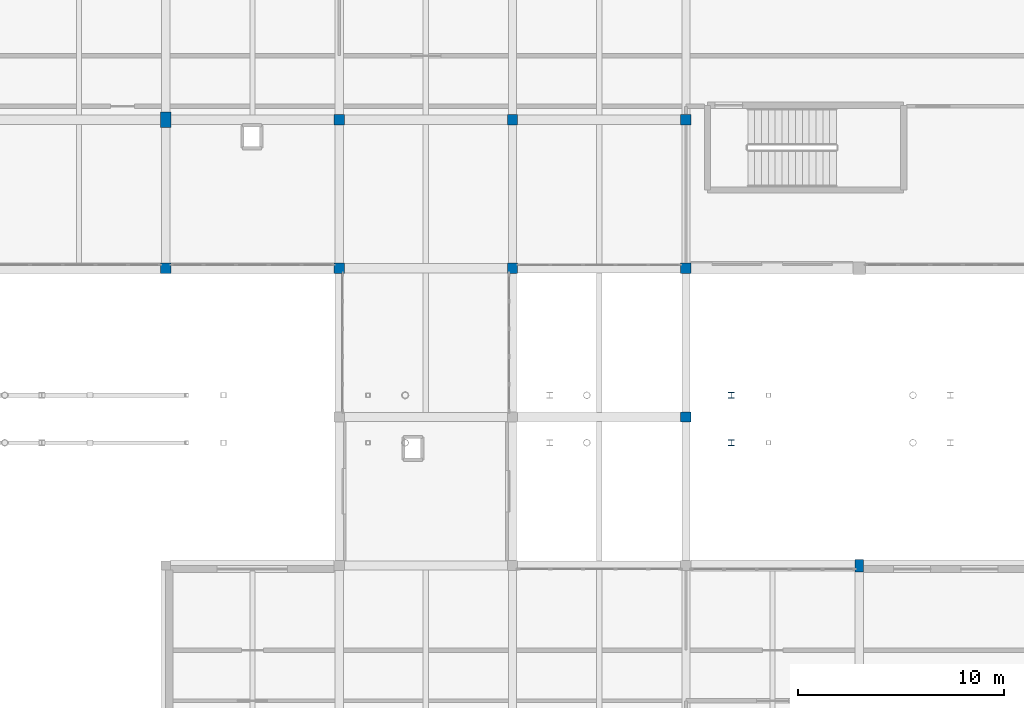
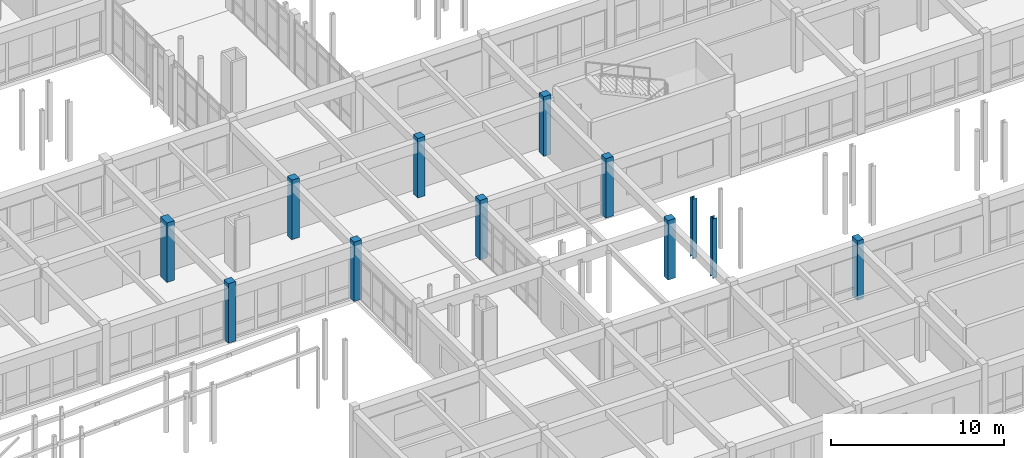
# One storey, part 7 of 147: 12 columns.
"""IFC4 building model written with IfcOpenShell, lengths in metres."""

from ifc_helpers import new_model, si_unit, direction, frame, origin, origin_2d, place, context, subcontext, project, spatial, rectangle, i_section, extrude, material, material_profile, profile_set, type_object, element, save


model = new_model("IFC4")

# Units and contexts
model_context = context("Model", 3, precision=1e-05, world=origin(), true_north=direction((0.0, 1.0)))
body_context = subcontext(model_context, "Body", "Model", "MODEL_VIEW")
ifc_project = project(units=[si_unit("LENGTHUNIT", "METRE"), si_unit("AREAUNIT", "SQUARE_METRE"), si_unit("VOLUMEUNIT", "CUBIC_METRE"), si_unit("PLANEANGLEUNIT", "RADIAN"), si_unit("MASSUNIT", "GRAM", prefix="KILO")], contexts=[model_context])

# Site, building, storey
site_placement = place(None, origin())
site = spatial("IfcSite", under=ifc_project, at=site_placement, CompositionType="ELEMENT")
building_placement = place(site_placement, origin())
building = spatial("IfcBuilding", under=site, at=building_placement, Name="Malvenik Polytechnic", CompositionType="ELEMENT")
storey_placement = place(building_placement, frame((0.0, 0.0, 5.10009765625)))
storey = spatial("IfcBuildingStorey", under=building, at=storey_placement, Name="L01", CompositionType="ELEMENT", Elevation=5.10009765625)

# Columns
ifc_material_1 = material(Name="Concrete C35/45", Category="concrete")
ifc_material_profile_1 = material_profile(ifc_material_1, rectangle(XDim=0.5, YDim=0.5, at=origin_2d()), Name="RC COL 500x500")
ifc_profile_set_1 = profile_set([ifc_material_profile_1], Name="Concrete C35/45")
column_type_1 = type_object("IfcColumnType", Name="STR-COL-C-08", PredefinedType="COLUMN", material=ifc_profile_set_1)
for number, where, z_axis, x_axis, name in (
    (1, (67.199951171875, 50.39990234375, 0.0), (0.0, 0.0, 1.0), (1.0, 0.0, 0.0), "Column C-08 L01 (67.2,50.4)"),
    (2, (75.60009765625, 50.39990234375, 0.0), (0.0, 0.0, 1.0), (1.0, 0.0, 0.0), "Column C-08 L01 (75.6,50.4)"),
    (3, (75.60009765625, 57.60009765625, 0.0), (0.0, 0.0, 1.0), (1.0, 0.0, 0.0), "Column C-08 L01 (75.6,57.6)"),
    (4, (84.0, 50.39990234375, 0.0), (0.0, 0.0, 1.0), (1.0, 0.0, 0.0), "Column C-08 L01 (84.0,50.4)"),
    (5, (84.0, 57.60009765625, 0.0), (0.0, 0.0, 1.0), (1.0, 0.0, 0.0), "Column C-08 L01 (84.0,57.6)"),
    (6, (92.39990234375, 43.199951171875, 0.0), (0.0, 0.0, 1.0), (1.0, 0.0, 0.0), "Column C-08 L01 (92.4,43.2)"),
    (7, (92.39990234375, 50.39990234375, 0.0), (0.0, 0.0, 1.0), (1.0, 0.0, 0.0), "Column C-08 L01 (92.4,50.4)"),
    (8, (92.39990234375, 57.60009765625, 0.0), (0.0, 0.0, 1.0), (1.0, 0.0, 0.0), "Column C-08 L01 (92.4,57.6)"),
):
    element("IfcColumn", number, at=place(storey_placement, frame(where, z_axis=z_axis, x_axis=x_axis)), inside=storey, type_object=column_type_1, Name=name, PredefinedType="COLUMN", context=body_context, shape_type="SweptSolid", body=[
        extrude(rectangle(XDim=0.5, YDim=0.5, at=origin_2d()), origin(), (0.0, 0.0, 1.0), 4.199951171875),
    ])
ifc_material_profile_2 = material_profile(ifc_material_1, rectangle(XDim=0.5, YDim=0.75, at=origin_2d()), Name="RC COL 750x500")
ifc_profile_set_2 = profile_set([ifc_material_profile_2], Name="Concrete C35/45")
column_type_2 = type_object("IfcColumnType", Name="STR-COL-C-14", PredefinedType="COLUMN", material=ifc_profile_set_2)
column_1_placement = place(storey_placement, frame((67.199951171875, 57.60009765625, 0.0), z_axis=(0.0, 0.0, 1.0), x_axis=(1.0, 0.0, 0.0)))
element("IfcColumn", 9, at=column_1_placement, inside=storey, type_object=column_type_2, Name="Column C-14 L01 (67.2,57.6)", PredefinedType="COLUMN", context=body_context, shape_type="SweptSolid", body=[
    extrude(rectangle(XDim=0.5, YDim=0.75, at=origin_2d()), origin(), (0.0, 0.0, 1.0), 4.199951171875),
])
ifc_material_profile_3 = material_profile(ifc_material_1, rectangle(XDim=0.39990234375, YDim=0.60009765625, at=origin_2d()), Name="RC COL 600x400")
ifc_profile_set_3 = profile_set([ifc_material_profile_3], Name="Concrete C35/45")
column_type_3 = type_object("IfcColumnType", Name="STR-COL-C-15", PredefinedType="COLUMN", material=ifc_profile_set_3)
column_2_placement = place(storey_placement, frame((100.800048828125, 36.0, 0.0), z_axis=(0.0, 0.0, 1.0), x_axis=(1.0, 0.0, 0.0)))
element("IfcColumn", 10, at=column_2_placement, inside=storey, type_object=column_type_3, Name="Column C-15 L01 (100.8,36.0)", PredefinedType="COLUMN", context=body_context, shape_type="SweptSolid", body=[
    extrude(rectangle(XDim=0.39990234375, YDim=0.60009765625, at=origin_2d()), origin(), (0.0, 0.0, 1.0), 4.199951171875),
])
ifc_material_2 = material(Name="Steel S355", Category="steel")
ifc_material_profile_4 = material_profile(ifc_material_2, i_section(OverallWidth=0.300048828125, OverallDepth=0.300048828125, WebThickness=0.010986328125, FlangeThickness=0.01904296875, FilletRadius=0.027099609375, at=origin_2d()), Name="HEB 300")
ifc_profile_set_4 = profile_set([ifc_material_profile_4], Name="Steel S355")
column_type_4 = type_object("IfcColumnType", Name="STR-SCOL-SC-05", PredefinedType="COLUMN", material=ifc_profile_set_4)
for number, where, z_axis, x_axis, name in (
    (11, (94.60009765625, 41.949951171875, 0.0), (0.0, 0.0, 1.0), (1.0, 0.0, 0.0), "Bridge-Ramp Support Column SC-05 L01"),
    (12, (94.60009765625, 44.25, 0.0), (0.0, 0.0, 1.0), (1.0, 0.0, 0.0), "Bridge-Ramp Support Column SC-05 L01"),
):
    element("IfcColumn", number, at=place(storey_placement, frame(where, z_axis=z_axis, x_axis=x_axis)), inside=storey, type_object=column_type_4, Name=name, PredefinedType="COLUMN", context=body_context, shape_type="SweptSolid", body=[
        extrude(i_section(OverallWidth=0.300048828125, OverallDepth=0.300048828125, WebThickness=0.010986328125, FlangeThickness=0.01904296875, FilletRadius=0.027099609375, at=origin_2d()), origin(), (0.0, 0.0, 1.0), 4.199951171875),
    ])

save(model, "model.ifc")
